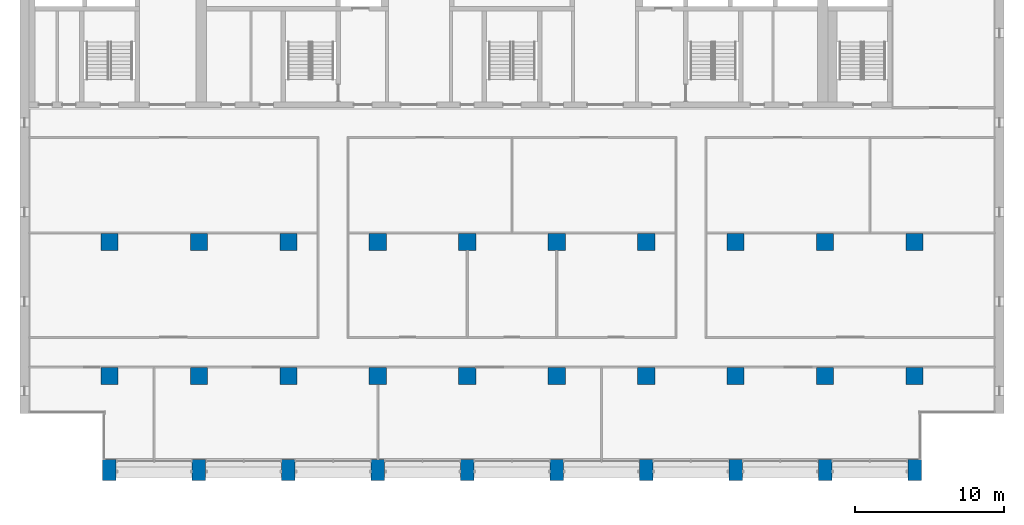
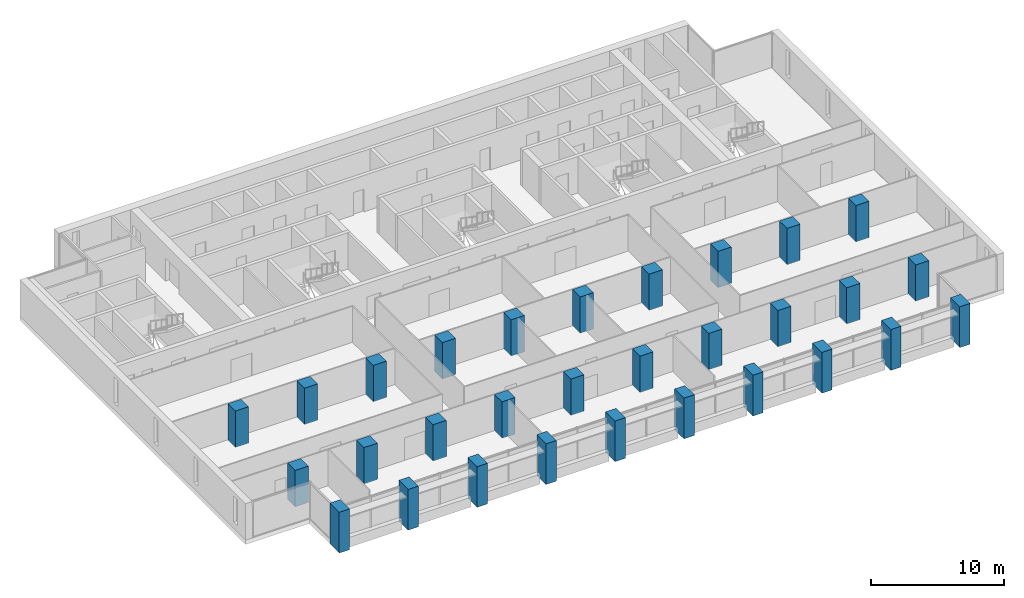
# One storey, part 1 of 17: 30 columns.
"""IFC4 building model written with IfcOpenShell, lengths in metres."""

from ifc_helpers import new_model, si_unit, direction, frame, origin, origin_2d, place, context, subcontext, project, spatial, rectangle, extrude, material, material_profile, profile_set, type_object, element, save


model = new_model("IFC4")

# Units and contexts
model_context = context("Model", 3, precision=1e-05, world=origin(), true_north=direction((0.0, 1.0)))
body_context = subcontext(model_context, "Body", "Model", "MODEL_VIEW")
ifc_project = project(units=[si_unit("LENGTHUNIT", "METRE"), si_unit("AREAUNIT", "SQUARE_METRE"), si_unit("VOLUMEUNIT", "CUBIC_METRE"), si_unit("PLANEANGLEUNIT", "RADIAN"), si_unit("MASSUNIT", "GRAM", prefix="KILO")], contexts=[model_context])

# Site, building, storey
site_placement = place(None, origin())
site = spatial("IfcSite", under=ifc_project, at=site_placement, CompositionType="ELEMENT")
building_placement = place(site_placement, origin())
building = spatial("IfcBuilding", under=site, at=building_placement, Name="Calvaro Tower", CompositionType="ELEMENT")
storey_placement = place(building_placement, frame((0.0, 0.0, 185.5)))
storey = spatial("IfcBuildingStorey", under=building, at=storey_placement, Name="L46", CompositionType="ELEMENT", Elevation=185.5)

# Columns
ifc_material_1 = material(Name="Concrete C50/60", Category="concrete")
ifc_material_profile_1 = material_profile(ifc_material_1, rectangle(XDim=1.14990234375, YDim=1.14990234375, at=origin_2d()), Name="RC 1150x1150")
ifc_profile_set_1 = profile_set([ifc_material_profile_1], Name="Concrete C50/60")
column_type_1 = type_object("IfcColumnType", Name="Column 1150x1150 C50/60", PredefinedType="COLUMN", material=ifc_profile_set_1)
for number, where, z_axis, x_axis, name in (
    (1, (12.0, 10.0, 0.0), (0.0, 0.0, 1.0), (1.0, 0.0, 0.0), "Column 3B"),
    (2, (12.0, 19.0, 0.0), (0.0, 0.0, 1.0), (1.0, 0.0, 0.0), "Column 3C"),
    (3, (18.0, 10.0, 0.0), (0.0, 0.0, 1.0), (1.0, 0.0, 0.0), "Column 4B"),
    (4, (18.0, 19.0, 0.0), (0.0, 0.0, 1.0), (1.0, 0.0, 0.0), "Column 4C"),
    (5, (24.0, 10.0, 0.0), (0.0, 0.0, 1.0), (1.0, 0.0, 0.0), "Column 5B"),
    (6, (24.0, 19.0, 0.0), (0.0, 0.0, 1.0), (1.0, 0.0, 0.0), "Column 5C"),
    (7, (30.0, 10.0, 0.0), (0.0, 0.0, 1.0), (1.0, 0.0, 0.0), "Column 6B"),
    (8, (30.0, 19.0, 0.0), (0.0, 0.0, 1.0), (1.0, 0.0, 0.0), "Column 6C"),
    (9, (36.0, 10.0, 0.0), (0.0, 0.0, 1.0), (1.0, 0.0, 0.0), "Column 7B"),
    (10, (36.0, 19.0, 0.0), (0.0, 0.0, 1.0), (1.0, 0.0, 0.0), "Column 7C"),
    (11, (42.0, 10.0, 0.0), (0.0, 0.0, 1.0), (1.0, 0.0, 0.0), "Column 8B"),
    (12, (42.0, 19.0, 0.0), (0.0, 0.0, 1.0), (1.0, 0.0, 0.0), "Column 8C"),
    (13, (48.0, 10.0, 0.0), (0.0, 0.0, 1.0), (1.0, 0.0, 0.0), "Column 9B"),
    (14, (48.0, 19.0, 0.0), (0.0, 0.0, 1.0), (1.0, 0.0, 0.0), "Column 9C"),
    (15, (54.0, 10.0, 0.0), (0.0, 0.0, 1.0), (1.0, 0.0, 0.0), "Column 10B"),
    (16, (54.0, 19.0, 0.0), (0.0, 0.0, 1.0), (1.0, 0.0, 0.0), "Column 10C"),
    (17, (60.0, 10.0, 0.0), (0.0, 0.0, 1.0), (1.0, 0.0, 0.0), "Column 11B"),
    (18, (60.0, 19.0, 0.0), (0.0, 0.0, 1.0), (1.0, 0.0, 0.0), "Column 11C"),
    (19, (66.0, 10.0, 0.0), (0.0, 0.0, 1.0), (1.0, 0.0, 0.0), "Column 12B"),
    (20, (66.0, 19.0, 0.0), (0.0, 0.0, 1.0), (1.0, 0.0, 0.0), "Column 12C"),
):
    element("IfcColumn", number, at=place(storey_placement, frame(where, z_axis=z_axis, x_axis=x_axis)), inside=storey, type_object=column_type_1, Name=name, PredefinedType="COLUMN", context=body_context, shape_type="SweptSolid", body=[
        extrude(rectangle(XDim=1.14990234375, YDim=1.14990234375, at=origin_2d()), origin(), (0.0, 0.0, 1.0), 3.35009765625),
    ])
ifc_material_2 = material(Name="Concrete C50/60", Category="concrete")
ifc_material_profile_2 = material_profile(ifc_material_2, rectangle(XDim=0.89990234375, YDim=1.39990234375, at=origin_2d()), Name="RC 900x1400")
ifc_profile_set_2 = profile_set([ifc_material_profile_2], Name="Concrete C50/60")
column_type_2 = type_object("IfcColumnType", Name="Pier 900x1400 C50/60", PredefinedType="COLUMN", material=ifc_profile_set_2)
for number, where, z_axis, x_axis, name in (
    (21, (12.0, 3.699951171875, -0.39990234375), (0.0, 0.0, 1.0), (1.0, 0.0, 0.0), "South pier 3"),
    (22, (18.0, 3.699951171875, -0.39990234375), (0.0, 0.0, 1.0), (1.0, 0.0, 0.0), "South pier 4"),
    (23, (24.0, 3.699951171875, -0.39990234375), (0.0, 0.0, 1.0), (1.0, 0.0, 0.0), "South pier 5"),
    (24, (30.0, 3.699951171875, -0.39990234375), (0.0, 0.0, 1.0), (1.0, 0.0, 0.0), "South pier 6"),
    (25, (36.0, 3.699951171875, -0.39990234375), (0.0, 0.0, 1.0), (1.0, 0.0, 0.0), "South pier 7"),
    (26, (42.0, 3.699951171875, -0.39990234375), (0.0, 0.0, 1.0), (1.0, 0.0, 0.0), "South pier 8"),
    (27, (48.0, 3.699951171875, -0.39990234375), (0.0, 0.0, 1.0), (1.0, 0.0, 0.0), "South pier 9"),
    (28, (54.0, 3.699951171875, -0.39990234375), (0.0, 0.0, 1.0), (1.0, 0.0, 0.0), "South pier 10"),
    (29, (60.0, 3.699951171875, -0.39990234375), (0.0, 0.0, 1.0), (1.0, 0.0, 0.0), "South pier 11"),
    (30, (66.0, 3.699951171875, -0.39990234375), (0.0, 0.0, 1.0), (1.0, 0.0, 0.0), "South pier 12"),
):
    element("IfcColumn", number, at=place(storey_placement, frame(where, z_axis=z_axis, x_axis=x_axis)), inside=storey, type_object=column_type_2, Name=name, PredefinedType="COLUMN", context=body_context, shape_type="SweptSolid", body=[
        extrude(rectangle(XDim=0.89990234375, YDim=1.39990234375, at=origin_2d()), origin(), (0.0, 0.0, 1.0), 3.75),
    ])

save(model, "model.ifc")
